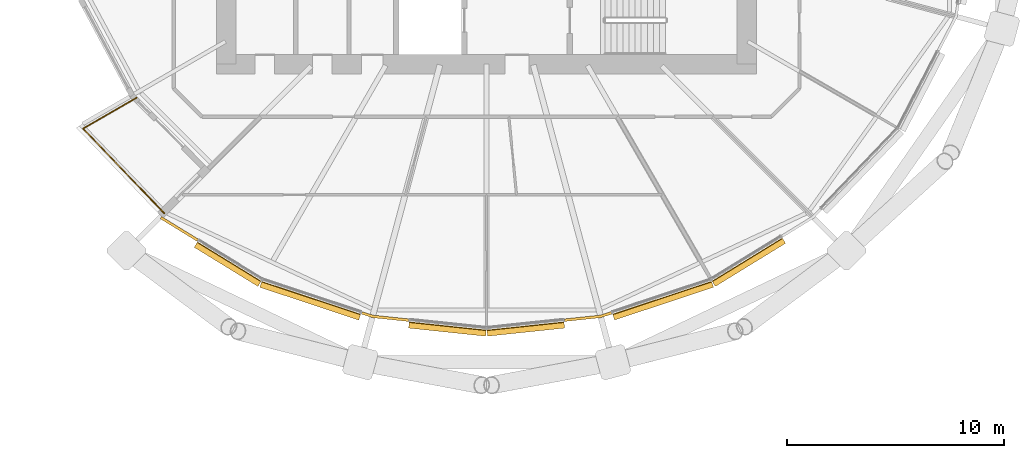
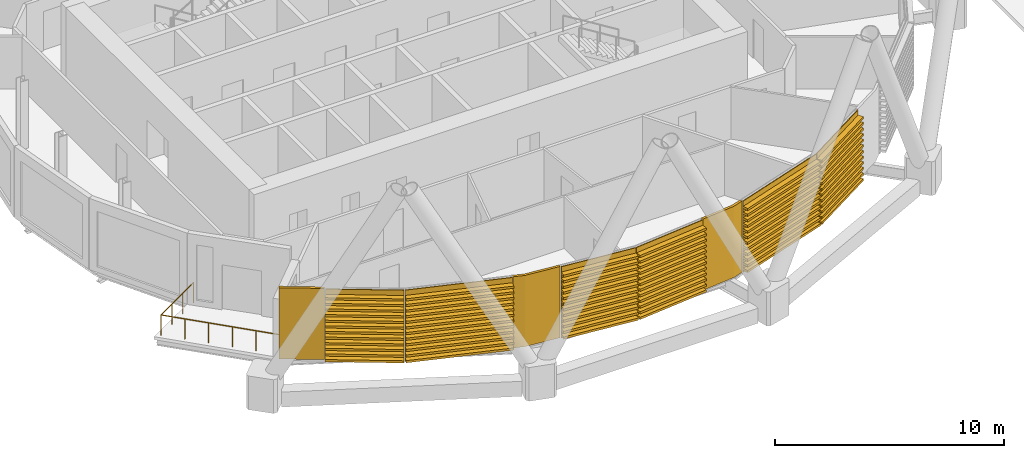
# One storey, part 29 of 34: 9 coverings, 1 railing.
"""IFC4 building model written with IfcOpenShell, lengths in metres."""

from ifc_helpers import new_model, si_unit, direction, frame, origin, origin_2d, place, context, subcontext, project, spatial, polyline, circle, outline, extrude, material, layer, layer_set, material_profile, profile_set, type_object, element, save


model = new_model("IFC4")

# Units and contexts
model_context = context("Model", 3, precision=1e-05, world=origin(), true_north=direction((0.0, 1.0)))
body_context = subcontext(model_context, "Body", "Model", "MODEL_VIEW")
ifc_project = project(units=[si_unit("LENGTHUNIT", "METRE"), si_unit("AREAUNIT", "SQUARE_METRE"), si_unit("VOLUMEUNIT", "CUBIC_METRE"), si_unit("PLANEANGLEUNIT", "RADIAN"), si_unit("MASSUNIT", "GRAM", prefix="KILO")], contexts=[model_context])

# Site, building, storey
site_placement = place(None, origin())
site = spatial("IfcSite", under=ifc_project, at=site_placement, CompositionType="ELEMENT")
building_placement = place(site_placement, origin())
building = spatial("IfcBuilding", under=site, at=building_placement, Name="Rimbun Link Towers", CompositionType="ELEMENT")
storey_placement = place(building_placement, frame((0.0, 0.0, 41.39990234375)))
storey = spatial("IfcBuildingStorey", under=building, at=storey_placement, Name="L09", CompositionType="ELEMENT", Elevation=41.39990234375)

# Railing
ifc_material_1 = material(Name="Stainless steel grade 316", Category="steel")
railing_type = type_object("IfcRailingType", Name="GUARD stainless rail and posts", PredefinedType="GUARDRAIL", material=ifc_material_1)
railing_placement = place(storey_placement, frame((-47.894287109375, -9.552001953125, 0.0)))
element("IfcRailing", 1, at=railing_placement, inside=storey, type_object=railing_type, Name="GUARD", PredefinedType="GUARDRAIL", context=body_context, shape_type="SweptSolid", body=[
    extrude(circle(Radius=0.02392578125, at=origin_2d()), frame((0.0, 0.0, 1.076171875), z_axis=(-0.866048401274, -0.499960165064, 0.0), x_axis=(0.499960165064, -0.866048401274, 0.0)), (0.0, 0.0, 1.0), 2.844970703125),
    extrude(circle(Radius=0.02392578125, at=origin_2d()), frame((-2.4638671875, -1.42236328125, 1.076171875), z_axis=(0.692038818128, -0.721860287178, 0.0), x_axis=(0.721860287178, 0.692038818128, 0.0)), (0.0, 0.0, 1.0), 5.4033203125),
    extrude(circle(Radius=0.02099609375, at=origin_2d()), origin(), (0.0, 0.0, 1.0), 1.052001953125),
    extrude(circle(Radius=0.02099609375, at=origin_2d()), frame((-0.8212890625, -0.47412109375, 0.0)), (0.0, 0.0, 1.0), 1.052001953125),
    extrude(circle(Radius=0.02099609375, at=origin_2d()), frame((-1.642578125, -0.9482421875, 0.0)), (0.0, 0.0, 1.0), 1.052001953125),
    extrude(circle(Radius=0.02099609375, at=origin_2d()), frame((-2.4638671875, -1.42236328125, 0.0)), (0.0, 0.0, 1.0), 1.052001953125),
    extrude(circle(Radius=0.02099609375, at=origin_2d()), frame((-1.716064453125, -2.202392578125, 0.0)), (0.0, 0.0, 1.0), 1.052001953125),
    extrude(circle(Radius=0.02099609375, at=origin_2d()), frame((-0.96826171875, -2.982421875, 0.0)), (0.0, 0.0, 1.0), 1.052001953125),
    extrude(circle(Radius=0.02099609375, at=origin_2d()), frame((-0.22021484375, -3.7626953125, 0.0)), (0.0, 0.0, 1.0), 1.052001953125),
    extrude(circle(Radius=0.02099609375, at=origin_2d()), frame((0.527587890625, -4.542724609375, 0.0)), (0.0, 0.0, 1.0), 1.052001953125),
    extrude(circle(Radius=0.02099609375, at=origin_2d()), frame((1.275390625, -5.32275390625, 0.0)), (0.0, 0.0, 1.0), 1.052001953125),
])

# Coverings
ifc_material_2 = material(Name="Terracotta", Category="masonry")
ifc_layer = layer(ifc_material_2, 0.1201171875)
ifc_layer_set = layer_set([ifc_layer], Name="LINK PIER terracotta cladding 120")
covering_type_1 = type_object("IfcCoveringType", Name="LINK PIER terracotta cladding 120", PredefinedType="CLADDING", material=ifc_layer_set)
covering_1_placement = place(storey_placement, origin())
element("IfcCovering", 2, at=covering_1_placement, inside=storey, type_object=covering_type_1, Name="LINK PIER cladding", PredefinedType="CLADDING", context=body_context, shape_type="SweptSolid", body=[
    extrude(outline(polyline([(-45.041748046875, -16.070068359375), (-46.737548828125, -15.02880859375), (-46.800537109375, -15.131103515625), (-45.1044921875, -16.17236328125), (-45.041748046875, -16.070068359375)])), origin(), (0.0, 0.0, 1.0), 3.800048828125),
])
covering_2_placement = place(storey_placement, origin())
element("IfcCovering", 3, at=covering_2_placement, inside=storey, type_object=covering_type_1, Name="LINK PIER cladding", PredefinedType="CLADDING", context=body_context, shape_type="SweptSolid", body=[
    extrude(outline(polyline([(-35.333984375, -19.7490234375), (-36.994873046875, -19.57421875), (-37.488525390625, -19.41064453125), (-37.5263671875, -19.524658203125), (-37.020263671875, -19.692138671875), (-35.3466796875, -19.868408203125), (-35.333984375, -19.7490234375)])), origin(), (0.0, 0.0, 1.0), 3.800048828125),
])
covering_3_placement = place(storey_placement, origin())
element("IfcCovering", 4, at=covering_3_placement, inside=storey, type_object=covering_type_1, Name="LINK PIER cladding", PredefinedType="CLADDING", context=body_context, shape_type="SweptSolid", body=[
    extrude(outline(polyline([(-26.011474609375, -19.41064453125), (-26.505126953125, -19.57421875), (-28.166015625, -19.7490234375), (-28.1533203125, -19.868408203125), (-26.479736328125, -19.692138671875), (-25.9736328125, -19.524658203125), (-26.011474609375, -19.41064453125)])), origin(), (0.0, 0.0, 1.0), 3.800048828125),
])
ifc_material_3 = material(Name="Terracotta", Category="masonry")
ifc_material_profile = material_profile(ifc_material_3, outline(polyline([(0.123046875, 0.0), (0.1630859375, 0.0), (0.1630859375, 0.10009765625), (0.423095703125, 0.10009765625), (0.423095703125, 0.219970703125), (0.1630859375, 0.219970703125), (0.1630859375, 0.39990234375), (0.423095703125, 0.39990234375), (0.423095703125, 0.52001953125), (0.1630859375, 0.52001953125), (0.1630859375, 0.699951171875), (0.423095703125, 0.699951171875), (0.423095703125, 0.820068359375), (0.1630859375, 0.820068359375), (0.1630859375, 1.0), (0.423095703125, 1.0), (0.423095703125, 1.1201171875), (0.1630859375, 1.1201171875), (0.1630859375, 1.300048828125), (0.423095703125, 1.300048828125), (0.423095703125, 1.419921875), (0.1630859375, 1.419921875), (0.1630859375, 1.60009765625), (0.423095703125, 1.60009765625), (0.423095703125, 1.719970703125), (0.1630859375, 1.719970703125), (0.1630859375, 1.89990234375), (0.423095703125, 1.89990234375), (0.423095703125, 2.02001953125), (0.1630859375, 2.02001953125), (0.1630859375, 2.199951171875), (0.423095703125, 2.199951171875), (0.423095703125, 2.320068359375), (0.1630859375, 2.320068359375), (0.1630859375, 2.5), (0.423095703125, 2.5), (0.423095703125, 2.6201171875), (0.1630859375, 2.6201171875), (0.1630859375, 2.800048828125), (0.423095703125, 2.800048828125), (0.423095703125, 2.919921875), (0.1630859375, 2.919921875), (0.1630859375, 3.10009765625), (0.423095703125, 3.10009765625), (0.423095703125, 3.219970703125), (0.1630859375, 3.219970703125), (0.1630859375, 3.39990234375), (0.423095703125, 3.39990234375), (0.423095703125, 3.52001953125), (0.1630859375, 3.52001953125), (0.1630859375, 3.800048828125), (0.123046875, 3.800048828125), (0.123046875, 0.0)])), Name="BAGUETTE 120X300")
ifc_profile_set = profile_set([ifc_material_profile], Name="Terracotta")
covering_type_2 = type_object("IfcCoveringType", Name="TERRACOTTA BAGUETTE 120X300 H3800", PredefinedType="CLADDING", material=ifc_profile_set)
covering_4_placement = place(storey_placement, frame((-42.07861328125, -17.8896484375, 0.0), z_axis=(-0.852173441979, 0.523259423981, 0.0), x_axis=(-0.523259423981, -0.852173441979, 0.0)))
element("IfcCovering", 5, at=covering_4_placement, inside=storey, type_object=covering_type_2, Name="TERRACOTTA BAGUETTE", PredefinedType="CLADDING", context=body_context, shape_type="SweptSolid", body=[
    extrude(outline(polyline([(0.123046875, 0.0), (0.1630859375, 0.0), (0.1630859375, 0.10009765625), (0.423095703125, 0.10009765625), (0.423095703125, 0.219970703125), (0.1630859375, 0.219970703125), (0.1630859375, 0.39990234375), (0.423095703125, 0.39990234375), (0.423095703125, 0.52001953125), (0.1630859375, 0.52001953125), (0.1630859375, 0.699951171875), (0.423095703125, 0.699951171875), (0.423095703125, 0.820068359375), (0.1630859375, 0.820068359375), (0.1630859375, 1.0), (0.423095703125, 1.0), (0.423095703125, 1.1201171875), (0.1630859375, 1.1201171875), (0.1630859375, 1.300048828125), (0.423095703125, 1.300048828125), (0.423095703125, 1.419921875), (0.1630859375, 1.419921875), (0.1630859375, 1.60009765625), (0.423095703125, 1.60009765625), (0.423095703125, 1.719970703125), (0.1630859375, 1.719970703125), (0.1630859375, 1.89990234375), (0.423095703125, 1.89990234375), (0.423095703125, 2.02001953125), (0.1630859375, 2.02001953125), (0.1630859375, 2.199951171875), (0.423095703125, 2.199951171875), (0.423095703125, 2.320068359375), (0.1630859375, 2.320068359375), (0.1630859375, 2.5), (0.423095703125, 2.5), (0.423095703125, 2.6201171875), (0.1630859375, 2.6201171875), (0.1630859375, 2.800048828125), (0.423095703125, 2.800048828125), (0.423095703125, 2.919921875), (0.1630859375, 2.919921875), (0.1630859375, 3.10009765625), (0.423095703125, 3.10009765625), (0.423095703125, 3.219970703125), (0.1630859375, 3.219970703125), (0.1630859375, 3.39990234375), (0.423095703125, 3.39990234375), (0.423095703125, 3.52001953125), (0.1630859375, 3.52001953125), (0.1630859375, 3.800048828125), (0.123046875, 3.800048828125), (0.123046875, 0.0)])), origin(), (0.0, 0.0, 1.0), 3.447021484375),
])
covering_5_placement = place(storey_placement, frame((-37.51708984375, -19.401123046875, 0.0), z_axis=(-0.949245728051, 0.314535447568, 0.0), x_axis=(-0.314535447568, -0.949245728051, 0.0)))
element("IfcCovering", 6, at=covering_5_placement, inside=storey, type_object=covering_type_2, Name="TERRACOTTA BAGUETTE", PredefinedType="CLADDING", context=body_context, shape_type="SweptSolid", body=[
    extrude(outline(polyline([(0.123046875, 0.0), (0.1630859375, 0.0), (0.1630859375, 0.10009765625), (0.423095703125, 0.10009765625), (0.423095703125, 0.219970703125), (0.1630859375, 0.219970703125), (0.1630859375, 0.39990234375), (0.423095703125, 0.39990234375), (0.423095703125, 0.52001953125), (0.1630859375, 0.52001953125), (0.1630859375, 0.699951171875), (0.423095703125, 0.699951171875), (0.423095703125, 0.820068359375), (0.1630859375, 0.820068359375), (0.1630859375, 1.0), (0.423095703125, 1.0), (0.423095703125, 1.1201171875), (0.1630859375, 1.1201171875), (0.1630859375, 1.300048828125), (0.423095703125, 1.300048828125), (0.423095703125, 1.419921875), (0.1630859375, 1.419921875), (0.1630859375, 1.60009765625), (0.423095703125, 1.60009765625), (0.423095703125, 1.719970703125), (0.1630859375, 1.719970703125), (0.1630859375, 1.89990234375), (0.423095703125, 1.89990234375), (0.423095703125, 2.02001953125), (0.1630859375, 2.02001953125), (0.1630859375, 2.199951171875), (0.423095703125, 2.199951171875), (0.423095703125, 2.320068359375), (0.1630859375, 2.320068359375), (0.1630859375, 2.5), (0.423095703125, 2.5), (0.423095703125, 2.6201171875), (0.1630859375, 2.6201171875), (0.1630859375, 2.800048828125), (0.423095703125, 2.800048828125), (0.423095703125, 2.919921875), (0.1630859375, 2.919921875), (0.1630859375, 3.10009765625), (0.423095703125, 3.10009765625), (0.423095703125, 3.219970703125), (0.1630859375, 3.219970703125), (0.1630859375, 3.39990234375), (0.423095703125, 3.39990234375), (0.423095703125, 3.52001953125), (0.1630859375, 3.52001953125), (0.1630859375, 3.800048828125), (0.123046875, 3.800048828125), (0.123046875, 0.0)])), origin(), (0.0, 0.0, 1.0), 4.805419921875),
])
for number, where, z_axis, x_axis, name in (
    (7, (-31.75, -20.126708984375, 0.0), (-0.994494217738, 0.104791463801, 0.0), (-0.104791463801, -0.994494217738, 0.0), "TERRACOTTA BAGUETTE"),
    (8, (-28.19580078125, -19.752197265625, 0.0), (-0.994494217738, -0.104791463801, 0.0), (0.104791463801, -0.994494217738, 0.0), "TERRACOTTA BAGUETTE"),
):
    element("IfcCovering", number, at=place(storey_placement, frame(where, z_axis=z_axis, x_axis=x_axis)), inside=storey, type_object=covering_type_2, Name=name, PredefinedType="CLADDING", context=body_context, shape_type="SweptSolid", body=[
        extrude(outline(polyline([(0.123046875, 0.0), (0.1630859375, 0.0), (0.1630859375, 0.10009765625), (0.423095703125, 0.10009765625), (0.423095703125, 0.219970703125), (0.1630859375, 0.219970703125), (0.1630859375, 0.39990234375), (0.423095703125, 0.39990234375), (0.423095703125, 0.52001953125), (0.1630859375, 0.52001953125), (0.1630859375, 0.699951171875), (0.423095703125, 0.699951171875), (0.423095703125, 0.820068359375), (0.1630859375, 0.820068359375), (0.1630859375, 1.0), (0.423095703125, 1.0), (0.423095703125, 1.1201171875), (0.1630859375, 1.1201171875), (0.1630859375, 1.300048828125), (0.423095703125, 1.300048828125), (0.423095703125, 1.419921875), (0.1630859375, 1.419921875), (0.1630859375, 1.60009765625), (0.423095703125, 1.60009765625), (0.423095703125, 1.719970703125), (0.1630859375, 1.719970703125), (0.1630859375, 1.89990234375), (0.423095703125, 1.89990234375), (0.423095703125, 2.02001953125), (0.1630859375, 2.02001953125), (0.1630859375, 2.199951171875), (0.423095703125, 2.199951171875), (0.423095703125, 2.320068359375), (0.1630859375, 2.320068359375), (0.1630859375, 2.5), (0.423095703125, 2.5), (0.423095703125, 2.6201171875), (0.1630859375, 2.6201171875), (0.1630859375, 2.800048828125), (0.423095703125, 2.800048828125), (0.423095703125, 2.919921875), (0.1630859375, 2.919921875), (0.1630859375, 3.10009765625), (0.423095703125, 3.10009765625), (0.423095703125, 3.219970703125), (0.1630859375, 3.219970703125), (0.1630859375, 3.39990234375), (0.423095703125, 3.39990234375), (0.423095703125, 3.52001953125), (0.1630859375, 3.52001953125), (0.1630859375, 3.800048828125), (0.123046875, 3.800048828125), (0.123046875, 0.0)])), origin(), (0.0, 0.0, 1.0), 3.573974609375),
    ])
covering_6_placement = place(storey_placement, frame((-21.42138671875, -17.8896484375, 0.0), z_axis=(-0.949245728051, -0.314535447568, 0.0), x_axis=(0.314535447568, -0.949245728051, 0.0)))
element("IfcCovering", 9, at=covering_6_placement, inside=storey, type_object=covering_type_2, Name="TERRACOTTA BAGUETTE", PredefinedType="CLADDING", context=body_context, shape_type="SweptSolid", body=[
    extrude(outline(polyline([(0.123046875, 0.0), (0.1630859375, 0.0), (0.1630859375, 0.10009765625), (0.423095703125, 0.10009765625), (0.423095703125, 0.219970703125), (0.1630859375, 0.219970703125), (0.1630859375, 0.39990234375), (0.423095703125, 0.39990234375), (0.423095703125, 0.52001953125), (0.1630859375, 0.52001953125), (0.1630859375, 0.699951171875), (0.423095703125, 0.699951171875), (0.423095703125, 0.820068359375), (0.1630859375, 0.820068359375), (0.1630859375, 1.0), (0.423095703125, 1.0), (0.423095703125, 1.1201171875), (0.1630859375, 1.1201171875), (0.1630859375, 1.300048828125), (0.423095703125, 1.300048828125), (0.423095703125, 1.419921875), (0.1630859375, 1.419921875), (0.1630859375, 1.60009765625), (0.423095703125, 1.60009765625), (0.423095703125, 1.719970703125), (0.1630859375, 1.719970703125), (0.1630859375, 1.89990234375), (0.423095703125, 1.89990234375), (0.423095703125, 2.02001953125), (0.1630859375, 2.02001953125), (0.1630859375, 2.199951171875), (0.423095703125, 2.199951171875), (0.423095703125, 2.320068359375), (0.1630859375, 2.320068359375), (0.1630859375, 2.5), (0.423095703125, 2.5), (0.423095703125, 2.6201171875), (0.1630859375, 2.6201171875), (0.1630859375, 2.800048828125), (0.423095703125, 2.800048828125), (0.423095703125, 2.919921875), (0.1630859375, 2.919921875), (0.1630859375, 3.10009765625), (0.423095703125, 3.10009765625), (0.423095703125, 3.219970703125), (0.1630859375, 3.219970703125), (0.1630859375, 3.39990234375), (0.423095703125, 3.39990234375), (0.423095703125, 3.52001953125), (0.1630859375, 3.52001953125), (0.1630859375, 3.800048828125), (0.123046875, 3.800048828125), (0.123046875, 0.0)])), origin(), (0.0, 0.0, 1.0), 4.805419921875),
])
covering_7_placement = place(storey_placement, frame((-18.185546875, -15.902587890625, 0.0), z_axis=(-0.852154627226, -0.523290064206, 0.0), x_axis=(0.523290064206, -0.852154627226, 0.0)))
element("IfcCovering", 10, at=covering_7_placement, inside=storey, type_object=covering_type_2, Name="TERRACOTTA BAGUETTE", PredefinedType="CLADDING", context=body_context, shape_type="SweptSolid", body=[
    extrude(outline(polyline([(0.123046875, 0.0), (0.1630859375, 0.0), (0.1630859375, 0.10009765625), (0.423095703125, 0.10009765625), (0.423095703125, 0.219970703125), (0.1630859375, 0.219970703125), (0.1630859375, 0.39990234375), (0.423095703125, 0.39990234375), (0.423095703125, 0.52001953125), (0.1630859375, 0.52001953125), (0.1630859375, 0.699951171875), (0.423095703125, 0.699951171875), (0.423095703125, 0.820068359375), (0.1630859375, 0.820068359375), (0.1630859375, 1.0), (0.423095703125, 1.0), (0.423095703125, 1.1201171875), (0.1630859375, 1.1201171875), (0.1630859375, 1.300048828125), (0.423095703125, 1.300048828125), (0.423095703125, 1.419921875), (0.1630859375, 1.419921875), (0.1630859375, 1.60009765625), (0.423095703125, 1.60009765625), (0.423095703125, 1.719970703125), (0.1630859375, 1.719970703125), (0.1630859375, 1.89990234375), (0.423095703125, 1.89990234375), (0.423095703125, 2.02001953125), (0.1630859375, 2.02001953125), (0.1630859375, 2.199951171875), (0.423095703125, 2.199951171875), (0.423095703125, 2.320068359375), (0.1630859375, 2.320068359375), (0.1630859375, 2.5), (0.423095703125, 2.5), (0.423095703125, 2.6201171875), (0.1630859375, 2.6201171875), (0.1630859375, 2.800048828125), (0.423095703125, 2.800048828125), (0.423095703125, 2.919921875), (0.1630859375, 2.919921875), (0.1630859375, 3.10009765625), (0.423095703125, 3.10009765625), (0.423095703125, 3.219970703125), (0.1630859375, 3.219970703125), (0.1630859375, 3.39990234375), (0.423095703125, 3.39990234375), (0.423095703125, 3.52001953125), (0.1630859375, 3.52001953125), (0.1630859375, 3.800048828125), (0.123046875, 3.800048828125), (0.123046875, 0.0)])), origin(), (0.0, 0.0, 1.0), 3.79736328125),
])

save(model, "model.ifc")
